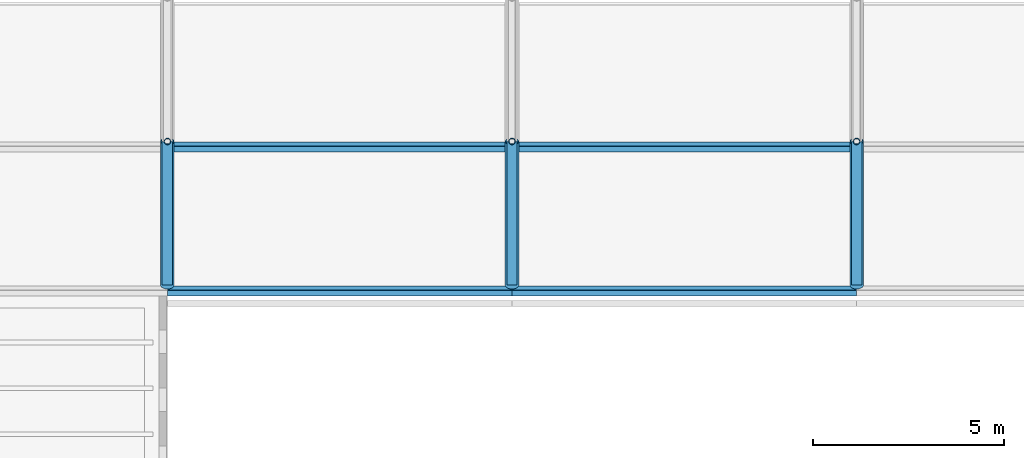
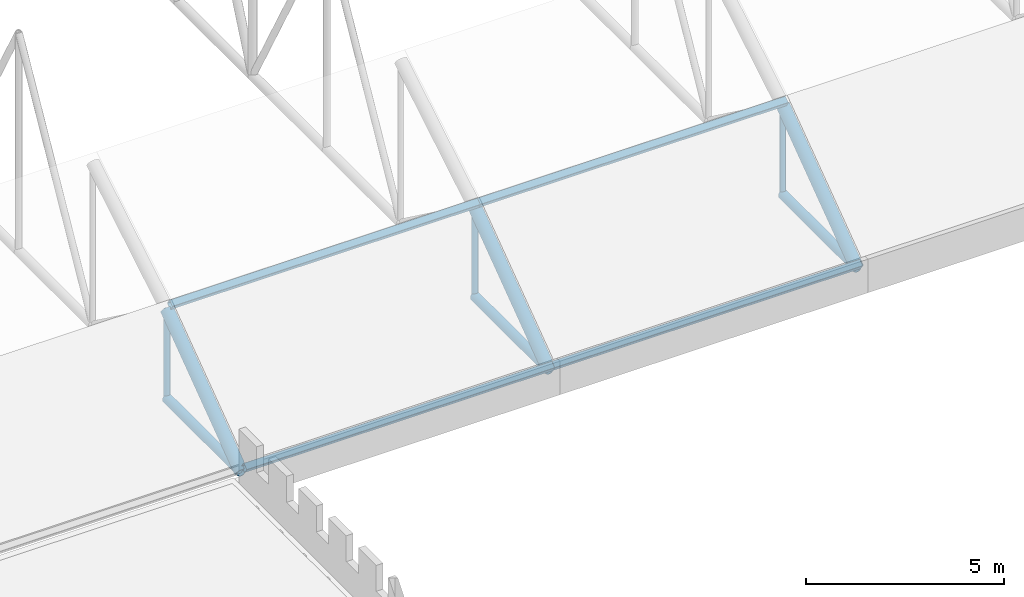
# One storey, part 45 of 153: 13 members.
"""IFC4 building model written with IfcOpenShell, lengths in metres."""

import ifcopenshell
import ifcopenshell.guid

model = None  # the IFC model being written
_history = None  # IfcOwnerHistory: only IFC2X3 demands one
_inside = {}  # id of a spatial element -> (the spatial element, [elements in it])
_under = {}  # id of a project, library or spatial element -> (it, [spatial elements below it])
_declared = {}  # id of a project -> (the project, [libraries it declares])
_typed = {}  # id of a type object -> (the type object, [elements of that type])
_made_of = {}  # id of a material, layer set ... -> (it, [elements and type objects made of it])


def new_model(schema):
    """Start an empty IFC model of exactly this schema.

    Asked for "IFC4X3", IfcOpenShell would pick the latest addendum, in which some entities
    have other attributes; the version numbers below select the first issue.
    IFC2X3 requires an IfcOwnerHistory on every rooted entity: one is made here for all.
    """
    global model, _history
    if schema == "IFC4X3":
        model = ifcopenshell.file(schema_version=(4, 3, 0, 0))
    else:
        model = ifcopenshell.file(schema=schema)
    _inside.clear()
    _under.clear()
    _declared.clear()
    _typed.clear()
    _made_of.clear()
    _history = None
    if model.schema == "IFC2X3":
        org = make("IfcOrganization", Name="unknown")
        user = make(
            "IfcPersonAndOrganization",
            ThePerson=make("IfcPerson", FamilyName="unknown"),
            TheOrganization=org,
        )
        app = make(
            "IfcApplication",
            ApplicationDeveloper=org,
            Version="unknown",
            ApplicationFullName="unknown",
            ApplicationIdentifier="unknown",
        )
        _history = make(
            "IfcOwnerHistory",
            OwningUser=user,
            OwningApplication=app,
            ChangeAction="ADDED",
            CreationDate=0,
        )
    return model


def make(cls, **values):
    """One entity of the class cls with the attributes given. An attribute that is None is left unset."""
    return model.create_entity(
        cls, **{name: value for name, value in values.items() if value is not None}
    )


def rooted(cls, **values):
    """An entity with a GlobalId (a new one), such as an element, a storey or a relation."""
    return make(cls, GlobalId=ifcopenshell.guid.new(), OwnerHistory=_history, **values)


def si_unit(unit_type, name, prefix=None):
    """IfcSIUnit, for example si_unit("LENGTHUNIT", "METRE", prefix="MILLI")."""
    return make("IfcSIUnit", UnitType=unit_type, Prefix=prefix, Name=name)


def assignment(units):
    """IfcUnitAssignment: the units of a project."""
    return None if units is None else make("IfcUnitAssignment", Units=units)


def point(xyz):
    """IfcCartesianPoint."""
    return None if xyz is None else make("IfcCartesianPoint", Coordinates=xyz)


def direction(xyz):
    """IfcDirection."""
    return None if xyz is None else make("IfcDirection", DirectionRatios=xyz)


def frame(location, z_axis=None, x_axis=None):
    """IfcAxis2Placement3D, a coordinate frame: its origin and axes. An axis left out is left unset."""
    return make(
        "IfcAxis2Placement3D",
        Location=point(location),
        Axis=direction(z_axis),
        RefDirection=direction(x_axis),
    )


def frame_2d(location, x_axis=None):
    """IfcAxis2Placement2D, a coordinate frame in the plane: its origin and x axis."""
    return make(
        "IfcAxis2Placement2D", Location=point(location), RefDirection=direction(x_axis)
    )


def origin():
    """The frame at (0, 0, 0) with its axes left unset."""
    return frame((0.0, 0.0, 0.0))


def origin_2d():
    """The frame at (0, 0) in the plane with its x axis left unset."""
    return frame_2d((0.0, 0.0))


def place(relative_to, where):
    """IfcLocalPlacement: puts the frame where relative to a parent placement (None: the world)."""
    return make(
        "IfcLocalPlacement", PlacementRelTo=relative_to, RelativePlacement=where
    )


def context(
    kind, dimensions, precision=None, world=None, true_north=None, identifier=None
):
    """IfcGeometricRepresentationContext, for example the 3D "Model" context."""
    return make(
        "IfcGeometricRepresentationContext",
        ContextIdentifier=identifier,
        ContextType=kind,
        CoordinateSpaceDimension=dimensions,
        Precision=precision,
        WorldCoordinateSystem=world,
        TrueNorth=true_north,
    )


def subcontext(parent, identifier, kind, view, scale=None):
    """IfcGeometricRepresentationSubContext, for example "Body" below "Model"."""
    return make(
        "IfcGeometricRepresentationSubContext",
        ContextIdentifier=identifier,
        ContextType=kind,
        ParentContext=parent,
        TargetScale=scale,
        TargetView=view,
    )


def project(units=None, contexts=None):
    """IfcProject with its units and contexts."""
    return rooted(
        "IfcProject",
        Name="project",
        RepresentationContexts=contexts,
        UnitsInContext=assignment(units),
    )


def spatial(cls, under=None, at=None, **own):
    """A site, building, storey or space (cls), placed at a placement, below another one or the project."""
    s = rooted(cls, ObjectPlacement=at, **own)
    if under is not None:
        _under.setdefault(under.id(), (under, []))[1].append(s)
    return s


def profile(cls, at=None, kind="AREA", **sizes):
    """A parametric profile (cls). Its sizes go by their IFC names, for example OverallWidth=200.0."""
    return make(cls, ProfileType=kind, Position=at, **sizes)


def hollow_rectangle(**sizes):
    """IfcRectangleHollowProfileDef."""
    return profile("IfcRectangleHollowProfileDef", **sizes)


def hollow_circle(**sizes):
    """IfcCircleHollowProfileDef."""
    return profile("IfcCircleHollowProfileDef", **sizes)


def extrude(swept, where, along, depth):
    """IfcExtrudedAreaSolid: the profile swept, set in the frame where, extruded along a direction by depth."""
    return make(
        "IfcExtrudedAreaSolid",
        SweptArea=swept,
        Position=where,
        ExtrudedDirection=direction(along),
        Depth=depth,
    )


def shape(context_of_items, identifier, shape_type, items):
    """IfcShapeRepresentation: the items that make up one representation, for example the "Body"."""
    return make(
        "IfcShapeRepresentation",
        ContextOfItems=context_of_items,
        RepresentationIdentifier=identifier,
        RepresentationType=shape_type,
        Items=items,
    )


def material(Name=None, Category=None):
    """IfcMaterial."""
    return make("IfcMaterial", Name=Name, Category=Category)


def material_profile(
    of_material, cross_section, Name=None, Category=None, Priority=None
):
    """IfcMaterialProfile: a cross section and its material."""
    return make(
        "IfcMaterialProfile",
        Name=Name,
        Material=of_material,
        Profile=cross_section,
        Priority=Priority,
        Category=Category,
    )


def profile_set(profiles, Name=None, composite=None):
    """IfcMaterialProfileSet."""
    return make(
        "IfcMaterialProfileSet",
        Name=Name,
        MaterialProfiles=profiles,
        CompositeProfile=composite,
    )


def made_of(thing, what):
    """Note that an element or type object is made of a material, layer set ...; save() writes the relation."""
    if what is not None:
        _made_of.setdefault(what.id(), (what, []))[1].append(thing)
    return thing


def type_object(cls, material=None, **own):
    """A type object (cls), such as IfcWallType, which elements share."""
    return made_of(rooted(cls, **own), material)


def element(
    cls,
    number,
    at=None,
    inside=None,
    cuts=None,
    type_object=None,
    material=None,
    context=None,
    identifier="Body",
    shape_type=None,
    held_by="IfcProductDefinitionShape",
    body=None,
    shapes=None,
    **own,
):
    """One element of the class cls, such as IfcWall. Its Tag is "e" and its number.

    at: its placement. inside: the storey or other place that contains it. cuts: it is an
    opening in that element (IfcRelVoidsElement). A single representation is given by context,
    identifier, shape_type and body (its items); several are given by shapes. held_by: the class
    of the entity that holds the representations. save() writes the other relations.
    """
    e = rooted(cls, Tag="e%d" % number, ObjectPlacement=at, **own)
    if body is not None:
        shapes = [shape(context, identifier, shape_type, body)]
    if shapes is not None:
        e.Representation = make(held_by, Representations=shapes)
    if inside is not None:
        _inside.setdefault(inside.id(), (inside, []))[1].append(e)
    if cuts is not None:
        rooted(
            "IfcRelVoidsElement", RelatingBuildingElement=cuts, RelatedOpeningElement=e
        )
    if type_object is not None:
        _typed.setdefault(type_object.id(), (type_object, []))[1].append(e)
    return made_of(e, material)


def aggregate(whole, parts):
    """IfcRelAggregates: a whole, such as a stair, and the parts it consists of."""
    return rooted("IfcRelAggregates", RelatingObject=whole, RelatedObjects=parts)


def save(model, path):
    """Write the relations noted so far, then the file.

    IfcRelAggregates (storeys below a building ...), IfcRelContainedInSpatialStructure (elements
    in a storey), IfcRelDefinesByType, IfcRelAssociatesMaterial and IfcRelDeclares: one each for
    every whole, place, type object, material and project.
    """
    for whole, parts in _under.values():
        aggregate(whole, parts)
    for where, things in _inside.values():
        rooted(
            "IfcRelContainedInSpatialStructure",
            RelatedElements=things,
            RelatingStructure=where,
        )
    for kind, things in _typed.values():
        rooted("IfcRelDefinesByType", RelatedObjects=things, RelatingType=kind)
    for what, things in _made_of.values():
        rooted("IfcRelAssociatesMaterial", RelatedObjects=things, RelatingMaterial=what)
    for by, libraries in _declared.values():
        rooted("IfcRelDeclares", RelatingContext=by, RelatedDefinitions=libraries)
    model.write(path)


model = new_model("IFC4")

# Units and contexts
model_context = context("Model", 3, precision=1e-05, world=origin(), true_north=direction((0.0, 1.0)))
body_context = subcontext(model_context, "Body", "Model", "MODEL_VIEW")
ifc_project = project(units=[si_unit("LENGTHUNIT", "METRE"), si_unit("AREAUNIT", "SQUARE_METRE"), si_unit("VOLUMEUNIT", "CUBIC_METRE"), si_unit("PLANEANGLEUNIT", "RADIAN"), si_unit("MASSUNIT", "GRAM", prefix="KILO")], contexts=[model_context])

# Site, building, storey
site_placement = place(None, origin())
site = spatial("IfcSite", under=ifc_project, at=site_placement, CompositionType="ELEMENT")
building_placement = place(site_placement, origin())
building = spatial("IfcBuilding", under=site, at=building_placement, Name="Baradari Gate Terminus", CompositionType="ELEMENT")
storey_placement = place(building_placement, frame((0.0, 0.0, 11.699951171875)))
storey = spatial("IfcBuildingStorey", under=building, at=storey_placement, Name="L02", CompositionType="ELEMENT", Elevation=11.699951171875)

# Members
ifc_material_1 = material(Name="Steel S355", Category="steel")
ifc_material_profile_1 = material_profile(ifc_material_1, hollow_circle(Radius=0.136474609375, WallThickness=0.012451171875, at=origin_2d()), Name="CHS 273x12.5")
ifc_profile_set_1 = profile_set([ifc_material_profile_1], Name="Steel S355")
member_type_1 = type_object("IfcMemberType", Name="Shed bottom chord CHS 273x12.5", PredefinedType="CHORD", material=ifc_profile_set_1)
for number, where, z_axis, x_axis, name in (
    (1, (153.0, 36.0, 0.136474609375), (0.0, 1.0, 0.0), (-1.0, 0.0, 0.0), "TR/L02/S153-BC00"),
    (2, (162.0, 36.0, 0.136474609375), (0.0, 1.0, 0.0), (-1.0, 0.0, 0.0), "TR/L02/S162-BC00"),
    (3, (171.0, 36.0, 0.136474609375), (0.0, 1.0, 0.0), (-1.0, 0.0, 0.0), "TR/L02/S171-BC00"),
):
    element("IfcMember", number, at=place(storey_placement, frame(where, z_axis=z_axis, x_axis=x_axis)), inside=storey, type_object=member_type_1, Name=name, PredefinedType="CHORD", context=body_context, shape_type="SweptSolid", body=[
        extrude(hollow_circle(Radius=0.136474609375, WallThickness=0.012451171875, at=origin_2d()), origin(), (0.0, 0.0, 1.0), 3.75),
    ])
ifc_material_2 = material(Name="Steel S355", Category="steel")
ifc_material_profile_2 = material_profile(ifc_material_2, hollow_rectangle(XDim=0.199951171875, YDim=0.199951171875, WallThickness=0.008056640625, InnerFilletRadius=0.008056640625, OuterFilletRadius=0.01611328125, at=origin_2d()), Name="SHS 200x200x8")
ifc_profile_set_2 = profile_set([ifc_material_profile_2], Name="Steel S355")
member_type_2 = type_object("IfcMemberType", Name="Shed purlin SHS 200x200x8", PredefinedType="PURLIN", material=ifc_profile_set_2)
for number, where, z_axis, x_axis, name in (
    (4, (153.0, 35.8427734375, 0.350830078125), (1.0, 0.0, 0.0), (0.0, 0.80640499586, 0.591363663621), "TR/L02/B162-PU00"),
    (5, (153.0, 39.602783203125, 3.10791015625), (1.0, 0.0, 0.0), (0.0, 0.832836263724, 0.55351942859), "TR/L02/B162-PU01"),
    (6, (162.0, 35.8427734375, 0.350830078125), (1.0, 0.0, 0.0), (0.0, 0.80640499586, 0.591363663621), "TR/L02/B171-PU00"),
    (7, (162.0, 39.602783203125, 3.10791015625), (1.0, 0.0, 0.0), (0.0, 0.832836263724, 0.55351942859), "TR/L02/B171-PU01"),
):
    element("IfcMember", number, at=place(storey_placement, frame(where, z_axis=z_axis, x_axis=x_axis)), inside=storey, type_object=member_type_2, Name=name, PredefinedType="PURLIN", context=body_context, shape_type="SweptSolid", body=[
        extrude(hollow_rectangle(XDim=0.199951171875, YDim=0.199951171875, WallThickness=0.008056640625, InnerFilletRadius=0.008056640625, OuterFilletRadius=0.01611328125, at=origin_2d()), origin(), (0.0, 0.0, 1.0), 9.0),
    ])
ifc_material_3 = material(Name="Steel S355", Category="steel")
ifc_material_profile_3 = material_profile(ifc_material_3, hollow_circle(Radius=0.177734375, WallThickness=0.01611328125, at=origin_2d()), Name="CHS 355.6x16")
ifc_profile_set_3 = profile_set([ifc_material_profile_3], Name="Steel S355")
member_type_3 = type_object("IfcMemberType", Name="Shed top chord CHS 355.6x16", PredefinedType="CHORD", material=ifc_profile_set_3)
for number, where, z_axis, x_axis, name in (
    (8, (153.0, 36.0, 0.136474609375), (0.0, 0.806404995856, 0.591363663628), (-1.0, 0.0, 0.0), "TR/L02/S153-TC00"),
    (9, (162.0, 36.0, 0.136474609375), (0.0, 0.806404995856, 0.591363663628), (-1.0, 0.0, 0.0), "TR/L02/S162-TC00"),
    (10, (171.0, 36.0, 0.136474609375), (0.0, 0.806404995856, 0.591363663628), (-1.0, 0.0, 0.0), "TR/L02/S171-TC00"),
):
    element("IfcMember", number, at=place(storey_placement, frame(where, z_axis=z_axis, x_axis=x_axis)), inside=storey, type_object=member_type_3, Name=name, PredefinedType="CHORD", context=body_context, shape_type="SweptSolid", body=[
        extrude(hollow_circle(Radius=0.177734375, WallThickness=0.01611328125, at=origin_2d()), origin(), (0.0, 0.0, 1.0), 4.650390625),
    ])
ifc_material_4 = material(Name="Steel S355", Category="steel")
ifc_material_profile_4 = material_profile(ifc_material_4, hollow_circle(Radius=0.084228515625, WallThickness=0.008056640625, at=origin_2d()), Name="CHS 168.3x8")
ifc_profile_set_4 = profile_set([ifc_material_profile_4], Name="Steel S355")
member_type_4 = type_object("IfcMemberType", Name="Shed truss post CHS 168.3x8", PredefinedType="POST", material=ifc_profile_set_4)
for number, where, z_axis, x_axis, name in (
    (11, (153.0, 39.75, 0.136474609375), (0.0, 0.0, 1.0), (1.0, 0.0, 0.0), "TR/L02/S153-SP01"),
    (12, (162.0, 39.75, 0.136474609375), (0.0, 0.0, 1.0), (1.0, 0.0, 0.0), "TR/L02/S162-SP01"),
    (13, (171.0, 39.75, 0.136474609375), (0.0, 0.0, 1.0), (1.0, 0.0, 0.0), "TR/L02/S171-SP01"),
):
    element("IfcMember", number, at=place(storey_placement, frame(where, z_axis=z_axis, x_axis=x_axis)), inside=storey, type_object=member_type_4, Name=name, PredefinedType="POST", context=body_context, shape_type="SweptSolid", body=[
        extrude(hollow_circle(Radius=0.084228515625, WallThickness=0.008056640625, at=origin_2d()), origin(), (0.0, 0.0, 1.0), 2.75),
    ])

save(model, "model.ifc")
